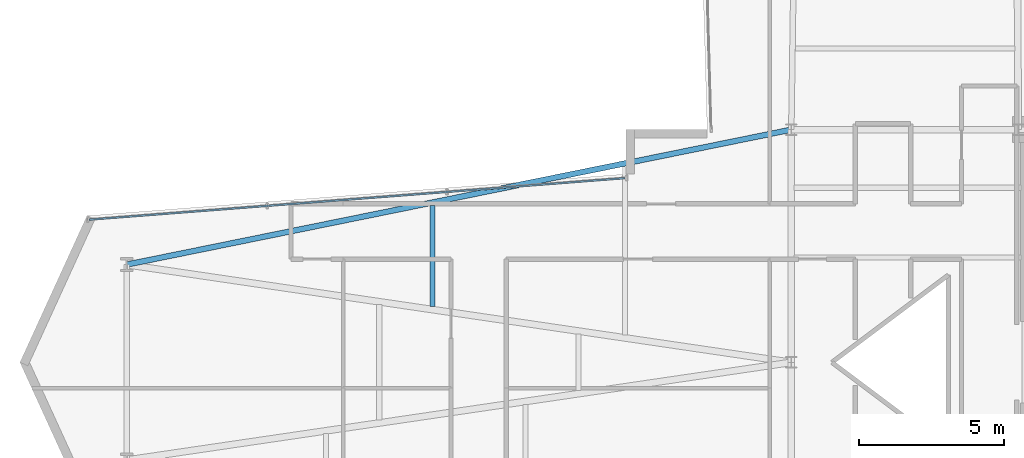
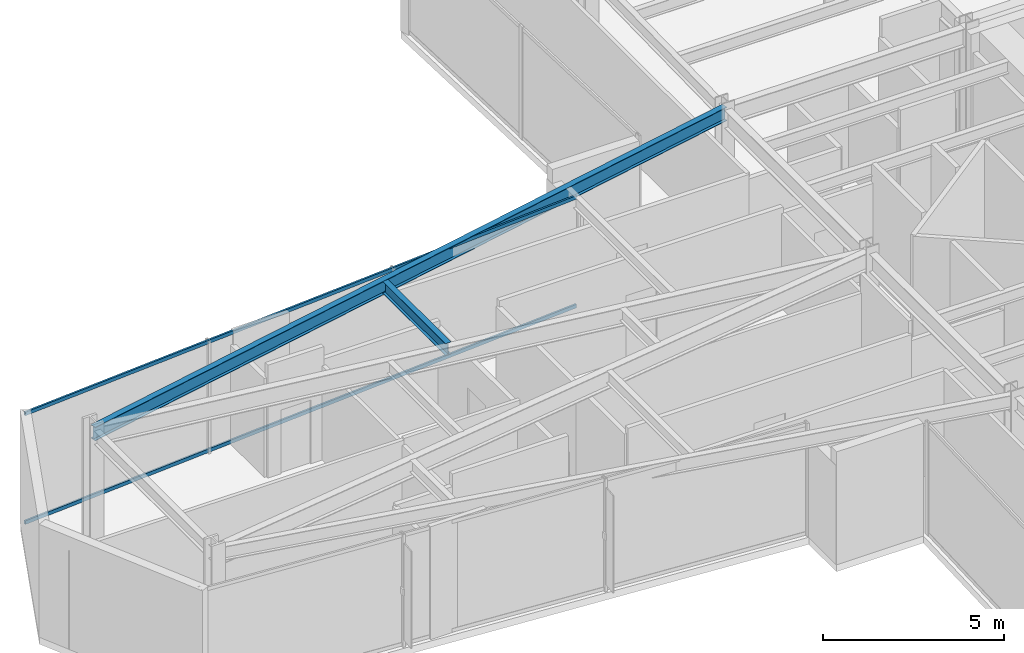
# One storey, part 9 of 30: 2 beams, 2 members, 1 element without a shape of its own.
"""IFC4 building model written with IfcOpenShell, lengths in metres."""

from ifc_helpers import new_model, si_unit, direction, frame, origin, origin_2d, place, context, subcontext, project, spatial, hollow_rectangle, i_section, extrude, material, layer, layer_set, material_profile, profile_set, type_object, element, aggregate, save


model = new_model("IFC4")

# Units and contexts
model_context = context("Model", 3, precision=1e-05, world=origin(), true_north=direction((0.0, 1.0)))
body_context = subcontext(model_context, "Body", "Model", "MODEL_VIEW")
ifc_project = project(units=[si_unit("LENGTHUNIT", "METRE"), si_unit("AREAUNIT", "SQUARE_METRE"), si_unit("VOLUMEUNIT", "CUBIC_METRE"), si_unit("PLANEANGLEUNIT", "RADIAN"), si_unit("MASSUNIT", "GRAM", prefix="KILO")], contexts=[model_context])

# Site, building, storey
site_placement = place(None, origin())
site = spatial("IfcSite", under=ifc_project, at=site_placement, CompositionType="ELEMENT")
building_placement = place(site_placement, origin())
building = spatial("IfcBuilding", under=site, at=building_placement, Name="Veymaron Broadcast Tower", CompositionType="ELEMENT")
storey_placement = place(building_placement, frame((0.0, 0.0, 54.0)))
storey = spatial("IfcBuildingStorey", under=building, at=storey_placement, Name="L11", CompositionType="ELEMENT", Elevation=54.0)

# Beams
ifc_material_1 = material(Name="Structural steel ASTM A992 Gr 50", Category="steel")
ifc_material_profile_1 = material_profile(ifc_material_1, i_section(OverallWidth=0.177978515625, OverallDepth=0.406982421875, WebThickness=0.0078125, FlangeThickness=0.0126953125, at=origin_2d()), Name="W410X60")
ifc_profile_set_1 = profile_set([ifc_material_profile_1], Name="Structural steel ASTM A992 Gr 50")
beam_type_1 = type_object("IfcBeamType", Name="BM-JS1", PredefinedType="JOIST", material=ifc_profile_set_1)
beam_1_placement = place(storey_placement, frame((18.862060546875, 25.914306640625, 3.6064453125), z_axis=(0.0, 1.0, 0.0), x_axis=(-1.0, 0.0, 0.0)))
element("IfcBeam", 1, at=beam_1_placement, inside=storey, type_object=beam_type_1, Name="L11 Arm-A secondary joist 1N", PredefinedType="JOIST", context=body_context, shape_type="SweptSolid", body=[
    extrude(i_section(OverallWidth=0.177978515625, OverallDepth=0.406982421875, WebThickness=0.0078125, FlangeThickness=0.0126953125, at=origin_2d()), origin(), (0.0, 0.0, 1.0), 3.47998046875),
])
ifc_material_profile_2 = material_profile(ifc_material_1, i_section(OverallWidth=0.19091796875, OverallDepth=0.4599609375, WebThickness=0.010009765625, FlangeThickness=0.01611328125, at=origin_2d()), Name="W460X82")
ifc_profile_set_2 = profile_set([ifc_material_profile_2], Name="Structural steel ASTM A992 Gr 50")
beam_type_2 = type_object("IfcBeamType", Name="BM-SP1", PredefinedType="SPANDREL", material=ifc_profile_set_2)
beam_2_placement = place(storey_placement, frame((8.35205078125, 27.360107421875, 3.580078125), z_axis=(0.979996415333, 0.199015139963, 0.0), x_axis=(-0.199015139963, 0.979996415333, 0.0)))
element("IfcBeam", 2, at=beam_2_placement, inside=storey, type_object=beam_type_2, Name="L11 primary structural floor girder", PredefinedType="SPANDREL", context=body_context, shape_type="SweptSolid", body=[
    extrude(i_section(OverallWidth=0.19091796875, OverallDepth=0.4599609375, WebThickness=0.010009765625, FlangeThickness=0.01611328125, at=origin_2d()), origin(), (0.0, 0.0, 1.0), 23.314208984375),
])

# Curtain wall, members
ifc_material_2 = material(Name="Anodised aluminium AA 6063-T6 and laminated low-E dark glass", Category="aluminium")
ifc_layer = layer(ifc_material_2, 0.179931640625)
ifc_layer_set = layer_set([ifc_layer], Name="Anodised aluminium AA 6063-T6 and laminated low-E dark glass")
curtain_wall_type = type_object("IfcCurtainWallType", Name="CW-SYS-02", PredefinedType="NOTDEFINED", material=ifc_layer_set)
curtain_wall_placement = place(storey_placement, origin())
curtain_wall = element("IfcCurtainWall", 3, at=curtain_wall_placement, inside=storey, type_object=curtain_wall_type, Name="L11 dark-glass curtain wall CW-L11-E11-1", PredefinedType="NOTDEFINED")
ifc_material_3 = material(Name="Anodised aluminium AA 6063-T6", Category="aluminium")
ifc_material_profile_3 = material_profile(ifc_material_3, hollow_rectangle(XDim=0.06005859375, YDim=0.1201171875, WallThickness=0.00390625, at=origin_2d()), Name="AL120X60X4")
ifc_profile_set_3 = profile_set([ifc_material_profile_3], Name="Anodised aluminium AA 6063-T6")
member_type = type_object("IfcMemberType", Name="CW-TRN-02", PredefinedType="USERDEFINED", material=ifc_profile_set_3)
member_1_placement = place(storey_placement, frame((25.489013671875, 30.33251953125, 0.070068359375), z_axis=(-0.997009170572, -0.07728333453, 0.0), x_axis=(0.07728333453, -0.997009170572, 0.0)))
member_1 = element("IfcMember", 4, at=member_1_placement, type_object=member_type, Name="CW-L11-E11-1 transom B", ObjectType="TRANSOM", PredefinedType="USERDEFINED", context=body_context, shape_type="SweptSolid", body=[
    extrude(hollow_rectangle(XDim=0.06005859375, YDim=0.1201171875, WallThickness=0.00390625, at=origin_2d()), origin(), (0.0, 0.0, 1.0), 18.4833984375),
])
member_2_placement = place(storey_placement, frame((25.489013671875, 30.33251953125, 3.739990234375), z_axis=(-0.997009170572, -0.07728333453, 0.0), x_axis=(0.07728333453, -0.997009170572, 0.0)))
member_2 = element("IfcMember", 5, at=member_2_placement, type_object=member_type, Name="CW-L11-E11-1 transom T", ObjectType="TRANSOM", PredefinedType="USERDEFINED", context=body_context, shape_type="SweptSolid", body=[
    extrude(hollow_rectangle(XDim=0.06005859375, YDim=0.1201171875, WallThickness=0.00390625, at=origin_2d()), origin(), (0.0, 0.0, 1.0), 18.4833984375),
])
aggregate(curtain_wall, [member_1, member_2])

save(model, "model.ifc")
